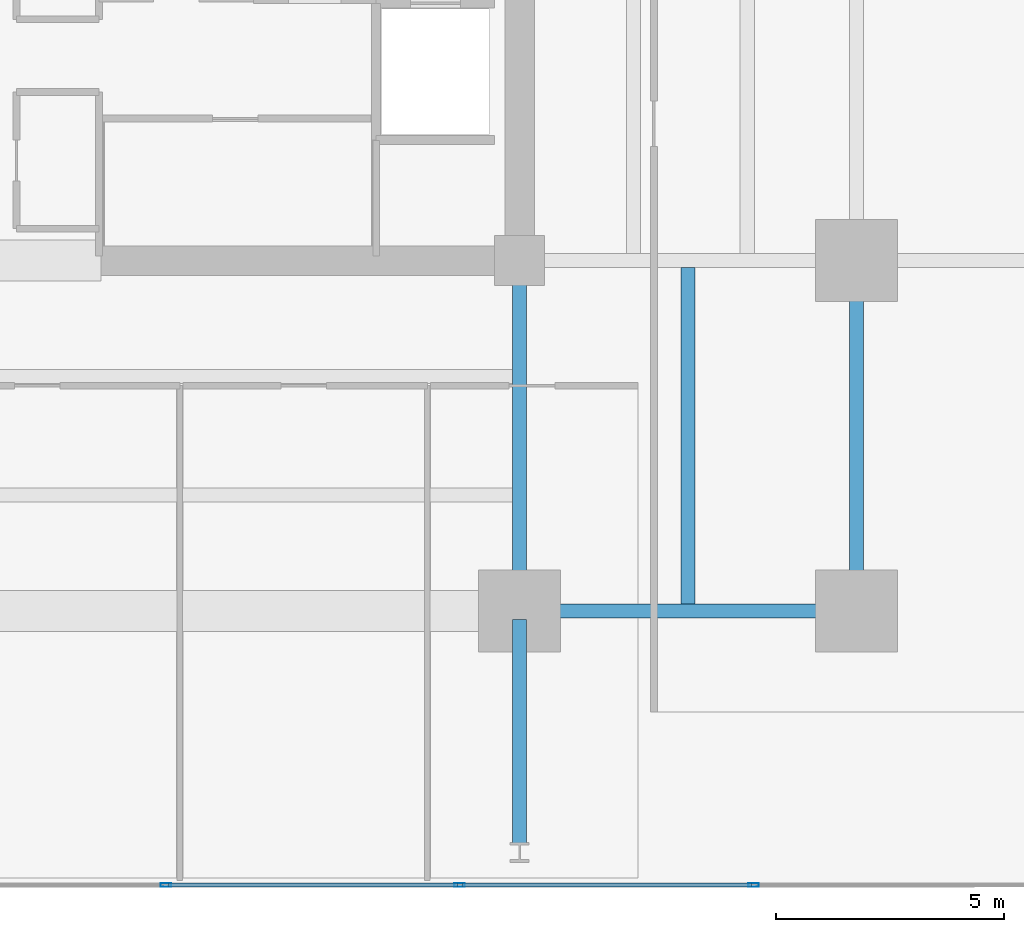
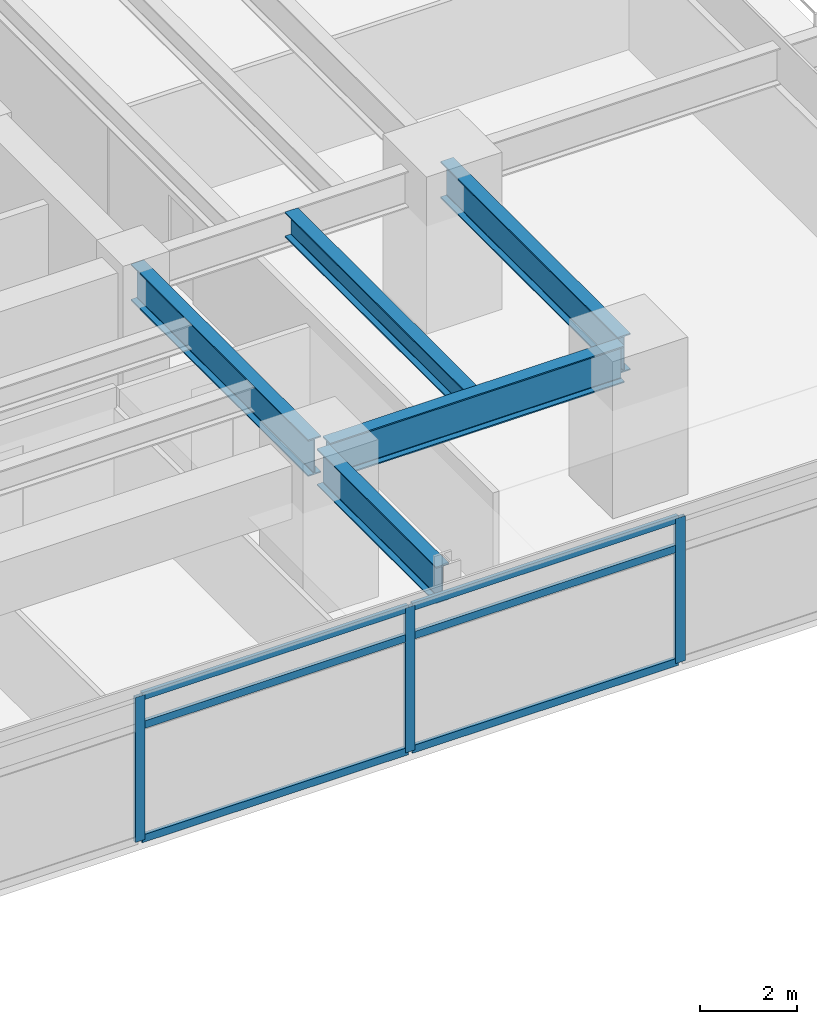
# One storey, part 5 of 23: 9 members, 5 beams, 1 element without a shape of its own.
"""IFC4 building model written with IfcOpenShell, lengths in metres."""

import ifcopenshell
import ifcopenshell.guid

model = None  # the IFC model being written
_history = None  # IfcOwnerHistory: only IFC2X3 demands one
_inside = {}  # id of a spatial element -> (the spatial element, [elements in it])
_under = {}  # id of a project, library or spatial element -> (it, [spatial elements below it])
_declared = {}  # id of a project -> (the project, [libraries it declares])
_typed = {}  # id of a type object -> (the type object, [elements of that type])
_made_of = {}  # id of a material, layer set ... -> (it, [elements and type objects made of it])


def new_model(schema):
    """Start an empty IFC model of exactly this schema.

    Asked for "IFC4X3", IfcOpenShell would pick the latest addendum, in which some entities
    have other attributes; the version numbers below select the first issue.
    IFC2X3 requires an IfcOwnerHistory on every rooted entity: one is made here for all.
    """
    global model, _history
    if schema == "IFC4X3":
        model = ifcopenshell.file(schema_version=(4, 3, 0, 0))
    else:
        model = ifcopenshell.file(schema=schema)
    _inside.clear()
    _under.clear()
    _declared.clear()
    _typed.clear()
    _made_of.clear()
    _history = None
    if model.schema == "IFC2X3":
        org = make("IfcOrganization", Name="unknown")
        user = make(
            "IfcPersonAndOrganization",
            ThePerson=make("IfcPerson", FamilyName="unknown"),
            TheOrganization=org,
        )
        app = make(
            "IfcApplication",
            ApplicationDeveloper=org,
            Version="unknown",
            ApplicationFullName="unknown",
            ApplicationIdentifier="unknown",
        )
        _history = make(
            "IfcOwnerHistory",
            OwningUser=user,
            OwningApplication=app,
            ChangeAction="ADDED",
            CreationDate=0,
        )
    return model


def make(cls, **values):
    """One entity of the class cls with the attributes given. An attribute that is None is left unset."""
    return model.create_entity(
        cls, **{name: value for name, value in values.items() if value is not None}
    )


def rooted(cls, **values):
    """An entity with a GlobalId (a new one), such as an element, a storey or a relation."""
    return make(cls, GlobalId=ifcopenshell.guid.new(), OwnerHistory=_history, **values)


def si_unit(unit_type, name, prefix=None):
    """IfcSIUnit, for example si_unit("LENGTHUNIT", "METRE", prefix="MILLI")."""
    return make("IfcSIUnit", UnitType=unit_type, Prefix=prefix, Name=name)


def assignment(units):
    """IfcUnitAssignment: the units of a project."""
    return None if units is None else make("IfcUnitAssignment", Units=units)


def point(xyz):
    """IfcCartesianPoint."""
    return None if xyz is None else make("IfcCartesianPoint", Coordinates=xyz)


def direction(xyz):
    """IfcDirection."""
    return None if xyz is None else make("IfcDirection", DirectionRatios=xyz)


def frame(location, z_axis=None, x_axis=None):
    """IfcAxis2Placement3D, a coordinate frame: its origin and axes. An axis left out is left unset."""
    return make(
        "IfcAxis2Placement3D",
        Location=point(location),
        Axis=direction(z_axis),
        RefDirection=direction(x_axis),
    )


def frame_2d(location, x_axis=None):
    """IfcAxis2Placement2D, a coordinate frame in the plane: its origin and x axis."""
    return make(
        "IfcAxis2Placement2D", Location=point(location), RefDirection=direction(x_axis)
    )


def origin():
    """The frame at (0, 0, 0) with its axes left unset."""
    return frame((0.0, 0.0, 0.0))


def origin_2d():
    """The frame at (0, 0) in the plane with its x axis left unset."""
    return frame_2d((0.0, 0.0))


def place(relative_to, where):
    """IfcLocalPlacement: puts the frame where relative to a parent placement (None: the world)."""
    return make(
        "IfcLocalPlacement", PlacementRelTo=relative_to, RelativePlacement=where
    )


def context(
    kind, dimensions, precision=None, world=None, true_north=None, identifier=None
):
    """IfcGeometricRepresentationContext, for example the 3D "Model" context."""
    return make(
        "IfcGeometricRepresentationContext",
        ContextIdentifier=identifier,
        ContextType=kind,
        CoordinateSpaceDimension=dimensions,
        Precision=precision,
        WorldCoordinateSystem=world,
        TrueNorth=true_north,
    )


def subcontext(parent, identifier, kind, view, scale=None):
    """IfcGeometricRepresentationSubContext, for example "Body" below "Model"."""
    return make(
        "IfcGeometricRepresentationSubContext",
        ContextIdentifier=identifier,
        ContextType=kind,
        ParentContext=parent,
        TargetScale=scale,
        TargetView=view,
    )


def project(units=None, contexts=None):
    """IfcProject with its units and contexts."""
    return rooted(
        "IfcProject",
        Name="project",
        RepresentationContexts=contexts,
        UnitsInContext=assignment(units),
    )


def spatial(cls, under=None, at=None, **own):
    """A site, building, storey or space (cls), placed at a placement, below another one or the project."""
    s = rooted(cls, ObjectPlacement=at, **own)
    if under is not None:
        _under.setdefault(under.id(), (under, []))[1].append(s)
    return s


def profile(cls, at=None, kind="AREA", **sizes):
    """A parametric profile (cls). Its sizes go by their IFC names, for example OverallWidth=200.0."""
    return make(cls, ProfileType=kind, Position=at, **sizes)


def hollow_rectangle(**sizes):
    """IfcRectangleHollowProfileDef."""
    return profile("IfcRectangleHollowProfileDef", **sizes)


def i_section(**sizes):
    """IfcIShapeProfileDef."""
    return profile("IfcIShapeProfileDef", **sizes)


def extrude(swept, where, along, depth):
    """IfcExtrudedAreaSolid: the profile swept, set in the frame where, extruded along a direction by depth."""
    return make(
        "IfcExtrudedAreaSolid",
        SweptArea=swept,
        Position=where,
        ExtrudedDirection=direction(along),
        Depth=depth,
    )


def shape(context_of_items, identifier, shape_type, items):
    """IfcShapeRepresentation: the items that make up one representation, for example the "Body"."""
    return make(
        "IfcShapeRepresentation",
        ContextOfItems=context_of_items,
        RepresentationIdentifier=identifier,
        RepresentationType=shape_type,
        Items=items,
    )


def material(Name=None, Category=None):
    """IfcMaterial."""
    return make("IfcMaterial", Name=Name, Category=Category)


def material_profile(
    of_material, cross_section, Name=None, Category=None, Priority=None
):
    """IfcMaterialProfile: a cross section and its material."""
    return make(
        "IfcMaterialProfile",
        Name=Name,
        Material=of_material,
        Profile=cross_section,
        Priority=Priority,
        Category=Category,
    )


def profile_set(profiles, Name=None, composite=None):
    """IfcMaterialProfileSet."""
    return make(
        "IfcMaterialProfileSet",
        Name=Name,
        MaterialProfiles=profiles,
        CompositeProfile=composite,
    )


def made_of(thing, what):
    """Note that an element or type object is made of a material, layer set ...; save() writes the relation."""
    if what is not None:
        _made_of.setdefault(what.id(), (what, []))[1].append(thing)
    return thing


def type_object(cls, material=None, **own):
    """A type object (cls), such as IfcWallType, which elements share."""
    return made_of(rooted(cls, **own), material)


def element(
    cls,
    number,
    at=None,
    inside=None,
    cuts=None,
    type_object=None,
    material=None,
    context=None,
    identifier="Body",
    shape_type=None,
    held_by="IfcProductDefinitionShape",
    body=None,
    shapes=None,
    **own,
):
    """One element of the class cls, such as IfcWall. Its Tag is "e" and its number.

    at: its placement. inside: the storey or other place that contains it. cuts: it is an
    opening in that element (IfcRelVoidsElement). A single representation is given by context,
    identifier, shape_type and body (its items); several are given by shapes. held_by: the class
    of the entity that holds the representations. save() writes the other relations.
    """
    e = rooted(cls, Tag="e%d" % number, ObjectPlacement=at, **own)
    if body is not None:
        shapes = [shape(context, identifier, shape_type, body)]
    if shapes is not None:
        e.Representation = make(held_by, Representations=shapes)
    if inside is not None:
        _inside.setdefault(inside.id(), (inside, []))[1].append(e)
    if cuts is not None:
        rooted(
            "IfcRelVoidsElement", RelatingBuildingElement=cuts, RelatedOpeningElement=e
        )
    if type_object is not None:
        _typed.setdefault(type_object.id(), (type_object, []))[1].append(e)
    return made_of(e, material)


def aggregate(whole, parts):
    """IfcRelAggregates: a whole, such as a stair, and the parts it consists of."""
    return rooted("IfcRelAggregates", RelatingObject=whole, RelatedObjects=parts)


def save(model, path):
    """Write the relations noted so far, then the file.

    IfcRelAggregates (storeys below a building ...), IfcRelContainedInSpatialStructure (elements
    in a storey), IfcRelDefinesByType, IfcRelAssociatesMaterial and IfcRelDeclares: one each for
    every whole, place, type object, material and project.
    """
    for whole, parts in _under.values():
        aggregate(whole, parts)
    for where, things in _inside.values():
        rooted(
            "IfcRelContainedInSpatialStructure",
            RelatedElements=things,
            RelatingStructure=where,
        )
    for kind, things in _typed.values():
        rooted("IfcRelDefinesByType", RelatedObjects=things, RelatingType=kind)
    for what, things in _made_of.values():
        rooted("IfcRelAssociatesMaterial", RelatedObjects=things, RelatingMaterial=what)
    for by, libraries in _declared.values():
        rooted("IfcRelDeclares", RelatingContext=by, RelatedDefinitions=libraries)
    model.write(path)


model = new_model("IFC4")

# Units and contexts
model_context = context("Model", 3, precision=1e-05, world=origin(), true_north=direction((0.0, 1.0)))
body_context = subcontext(model_context, "Body", "Model", "MODEL_VIEW")
ifc_project = project(units=[si_unit("LENGTHUNIT", "METRE"), si_unit("AREAUNIT", "SQUARE_METRE"), si_unit("VOLUMEUNIT", "CUBIC_METRE"), si_unit("PLANEANGLEUNIT", "RADIAN"), si_unit("MASSUNIT", "GRAM", prefix="KILO")], contexts=[model_context])

# Site, building, storey
site_placement = place(None, origin())
site = spatial("IfcSite", under=ifc_project, at=site_placement, CompositionType="ELEMENT")
building_placement = place(site_placement, origin())
building = spatial("IfcBuilding", under=site, at=building_placement, Name="Kovane Verandah Tower", CompositionType="ELEMENT")
storey_placement = place(building_placement, frame((0.0, 0.0, 103.60009765625)))
storey = spatial("IfcBuildingStorey", under=building, at=storey_placement, Name="L24", CompositionType="ELEMENT", Elevation=103.60009765625)

# Beams
ifc_material_1 = material(Name="Steel S460", Category="steel")
ifc_material_profile_1 = material_profile(ifc_material_1, i_section(OverallWidth=0.311279296875, OverallDepth=0.6357421875, WebThickness=0.018310546875, FlangeThickness=0.031494140625, FilletRadius=0.0166015625, at=origin_2d()), Name="UB610x305x238")
ifc_profile_set_1 = profile_set([ifc_material_profile_1], Name="Steel S460")
beam_type_1 = type_object("IfcBeamType", Name="BM-UB610x238", PredefinedType="BEAM", material=ifc_profile_set_1)
beam_1_placement = place(storey_placement, frame((54.699951171875, 10.951904296875, 3.382080078125), z_axis=(0.0, 1.0, 0.0), x_axis=(-1.0, 0.0, 0.0)))
element("IfcBeam", 1, at=beam_1_placement, inside=storey, type_object=beam_type_1, Name="L24 Secondary Composite Joist J-SE1", PredefinedType="BEAM", context=body_context, shape_type="SweptSolid", body=[
    extrude(i_section(OverallWidth=0.311279296875, OverallDepth=0.6357421875, WebThickness=0.018310546875, FlangeThickness=0.031494140625, FilletRadius=0.0166015625, at=origin_2d()), origin(), (0.0, 0.0, 1.0), 7.396240234375),
])
ifc_material_profile_2 = material_profile(ifc_material_1, i_section(OverallWidth=0.3076171875, OverallDepth=0.926513671875, WebThickness=0.01953125, FlangeThickness=0.031982421875, FilletRadius=0.01904296875, at=origin_2d()), Name="UB914x305x289")
ifc_profile_set_2 = profile_set([ifc_material_profile_2], Name="Steel S460")
beam_type_2 = type_object("IfcBeamType", Name="BM-UB914x289", PredefinedType="BEAM", material=ifc_profile_set_2)
beam_2_placement = place(storey_placement, frame((51.179931640625, 10.800048828125, 3.236572265625), z_axis=(1.0, 0.0, 0.0), x_axis=(0.0, 1.0, 0.0)))
element("IfcBeam", 2, at=beam_2_placement, inside=storey, type_object=beam_type_2, Name="L24 Primary Tower Girder G-RS3", PredefinedType="BEAM", context=body_context, shape_type="SweptSolid", body=[
    extrude(i_section(OverallWidth=0.3076171875, OverallDepth=0.926513671875, WebThickness=0.01953125, FlangeThickness=0.031982421875, FilletRadius=0.01904296875, at=origin_2d()), origin(), (0.0, 0.0, 1.0), 7.0400390625),
])
for number, where, z_axis, x_axis, name in (
    (3, (58.39990234375, 10.97998046875, 3.236572265625), (0.0, 1.0, 0.0), (-1.0, 0.0, 0.0), "L24 Primary Tower Girder G-RE1"),
    (4, (51.0, 18.320068359375, 3.236572265625), (0.0, -1.0, 0.0), (1.0, 0.0, 0.0), "L24 Primary Tower Girder G-S2"),
):
    element("IfcBeam", number, at=place(storey_placement, frame(where, z_axis=z_axis, x_axis=x_axis)), inside=storey, type_object=beam_type_2, Name=name, PredefinedType="BEAM", context=body_context, shape_type="SweptSolid", body=[
        extrude(i_section(OverallWidth=0.3076171875, OverallDepth=0.926513671875, WebThickness=0.01953125, FlangeThickness=0.031982421875, FilletRadius=0.01904296875, at=origin_2d()), origin(), (0.0, 0.0, 1.0), 7.340087890625),
    ])
beam_3_placement = place(storey_placement, frame((51.0, 10.6201171875, 3.236572265625), z_axis=(0.0, -1.0, 0.0), x_axis=(1.0, 0.0, 0.0)))
element("IfcBeam", 5, at=beam_3_placement, inside=storey, type_object=beam_type_2, Name="L24 Primary Tower Girder G-VS2", PredefinedType="BEAM", context=body_context, shape_type="SweptSolid", body=[
    extrude(i_section(OverallWidth=0.3076171875, OverallDepth=0.926513671875, WebThickness=0.01953125, FlangeThickness=0.031982421875, FilletRadius=0.01904296875, at=origin_2d()), origin(), (0.0, 0.0, 1.0), 4.940185546875),
])

# Curtain wall, members
ifc_material_2 = material(Name="Champagne Anodised Aluminium Frame with Low-E Clear Laminated Glass", Category="aluminium")
curtain_wall_type = type_object("IfcCurtainWallType", Name="CW-SYS-02-LOW", PredefinedType="NOTDEFINED", material=ifc_material_2)
curtain_wall_placement = place(storey_placement, origin())
curtain_wall = element("IfcCurtainWall", 6, at=curtain_wall_placement, inside=storey, type_object=curtain_wall_type, Name="L24 S Unitised Curtain Wall", PredefinedType="NOTDEFINED")
ifc_material_3 = material(Name="Champagne Anodised Aluminium 6063-T6", Category="aluminium")
ifc_material_profile_3 = material_profile(ifc_material_3, hollow_rectangle(XDim=0.0849609375, YDim=0.22998046875, WallThickness=0.00390625, at=origin_2d()), Name="AL85x230x4")
ifc_profile_set_3 = profile_set([ifc_material_profile_3], Name="Champagne Anodised Aluminium 6063-T6")
member_type_1 = type_object("IfcMemberType", Name="CW-MUL-85x230", PredefinedType="MULLION", material=ifc_profile_set_3)
member_1_placement = place(storey_placement, frame((43.228515625, 4.781005859375, 0.02001953125), z_axis=(0.0, 0.0, 1.0), x_axis=(0.0, -1.0, 0.0)))
member_1 = element("IfcMember", 7, at=member_1_placement, type_object=member_type_1, Name="L24 S Unitised Curtain Wall Mullion 5", PredefinedType="MULLION", context=body_context, shape_type="SweptSolid", body=[
    extrude(hollow_rectangle(XDim=0.0849609375, YDim=0.22998046875, WallThickness=0.00390625, at=origin_2d()), origin(), (0.0, 0.0, 1.0), 3.659912109375),
])
member_2_placement = place(storey_placement, frame((49.68505859375, 4.781005859375, 0.02001953125), z_axis=(0.0, 0.0, 1.0), x_axis=(0.0, -1.0, 0.0)))
member_2 = element("IfcMember", 8, at=member_2_placement, type_object=member_type_1, Name="L24 S Unitised Curtain Wall Mullion 6", PredefinedType="MULLION", context=body_context, shape_type="SweptSolid", body=[
    extrude(hollow_rectangle(XDim=0.0849609375, YDim=0.22998046875, WallThickness=0.00390625, at=origin_2d()), origin(), (0.0, 0.0, 1.0), 3.659912109375),
])
member_3_placement = place(storey_placement, frame((56.141845703125, 4.781005859375, 0.02001953125), z_axis=(0.0, 0.0, 1.0), x_axis=(0.0, -1.0, 0.0)))
member_3 = element("IfcMember", 9, at=member_3_placement, type_object=member_type_1, Name="L24 S Unitised Curtain Wall Mullion 7", PredefinedType="MULLION", context=body_context, shape_type="SweptSolid", body=[
    extrude(hollow_rectangle(XDim=0.0849609375, YDim=0.22998046875, WallThickness=0.00390625, at=origin_2d()), origin(), (0.0, 0.0, 1.0), 3.659912109375),
])
ifc_material_profile_4 = material_profile(ifc_material_3, hollow_rectangle(XDim=0.0849609375, YDim=0.18994140625, WallThickness=0.00390625, at=origin_2d()), Name="AL85x190x4")
ifc_profile_set_4 = profile_set([ifc_material_profile_4], Name="Champagne Anodised Aluminium 6063-T6")
member_type_2 = type_object("IfcMemberType", Name="CW-TRN-85x190", PredefinedType="USERDEFINED", material=ifc_profile_set_4)
member_4_placement = place(storey_placement, frame((43.2783203125, 4.781005859375, 0.0498046875), z_axis=(1.0, 0.0, 0.0), x_axis=(0.0, 1.0, 0.0)))
member_4 = element("IfcMember", 10, at=member_4_placement, type_object=member_type_2, Name="L24 S Unitised Curtain Wall Transom TB Bay 5", ObjectType="TRANSOM", PredefinedType="USERDEFINED", context=body_context, shape_type="SweptSolid", body=[
    extrude(hollow_rectangle(XDim=0.0849609375, YDim=0.18994140625, WallThickness=0.00390625, at=origin_2d()), origin(), (0.0, 0.0, 1.0), 6.356689453125),
])
member_5_placement = place(storey_placement, frame((43.2783203125, 4.781005859375, 2.919921875), z_axis=(1.0, 0.0, 0.0), x_axis=(0.0, 1.0, 0.0)))
member_5 = element("IfcMember", 11, at=member_5_placement, type_object=member_type_2, Name="L24 S Unitised Curtain Wall Transom TM Bay 5", ObjectType="TRANSOM", PredefinedType="USERDEFINED", context=body_context, shape_type="SweptSolid", body=[
    extrude(hollow_rectangle(XDim=0.0849609375, YDim=0.18994140625, WallThickness=0.00390625, at=origin_2d()), origin(), (0.0, 0.0, 1.0), 6.356689453125),
])
member_6_placement = place(storey_placement, frame((43.2783203125, 4.781005859375, 3.64990234375), z_axis=(1.0, 0.0, 0.0), x_axis=(0.0, 1.0, 0.0)))
member_6 = element("IfcMember", 12, at=member_6_placement, type_object=member_type_2, Name="L24 S Unitised Curtain Wall Transom TT Bay 5", ObjectType="TRANSOM", PredefinedType="USERDEFINED", context=body_context, shape_type="SweptSolid", body=[
    extrude(hollow_rectangle(XDim=0.0849609375, YDim=0.18994140625, WallThickness=0.00390625, at=origin_2d()), origin(), (0.0, 0.0, 1.0), 6.356689453125),
])
member_7_placement = place(storey_placement, frame((49.735107421875, 4.781005859375, 0.0498046875), z_axis=(1.0, 0.0, 0.0), x_axis=(0.0, 1.0, 0.0)))
member_7 = element("IfcMember", 13, at=member_7_placement, type_object=member_type_2, Name="L24 S Unitised Curtain Wall Transom TB Bay 6", ObjectType="TRANSOM", PredefinedType="USERDEFINED", context=body_context, shape_type="SweptSolid", body=[
    extrude(hollow_rectangle(XDim=0.0849609375, YDim=0.18994140625, WallThickness=0.00390625, at=origin_2d()), origin(), (0.0, 0.0, 1.0), 6.356689453125),
])
member_8_placement = place(storey_placement, frame((49.735107421875, 4.781005859375, 2.919921875), z_axis=(1.0, 0.0, 0.0), x_axis=(0.0, 1.0, 0.0)))
member_8 = element("IfcMember", 14, at=member_8_placement, type_object=member_type_2, Name="L24 S Unitised Curtain Wall Transom TM Bay 6", ObjectType="TRANSOM", PredefinedType="USERDEFINED", context=body_context, shape_type="SweptSolid", body=[
    extrude(hollow_rectangle(XDim=0.0849609375, YDim=0.18994140625, WallThickness=0.00390625, at=origin_2d()), origin(), (0.0, 0.0, 1.0), 6.356689453125),
])
member_9_placement = place(storey_placement, frame((49.735107421875, 4.781005859375, 3.64990234375), z_axis=(1.0, 0.0, 0.0), x_axis=(0.0, 1.0, 0.0)))
member_9 = element("IfcMember", 15, at=member_9_placement, type_object=member_type_2, Name="L24 S Unitised Curtain Wall Transom TT Bay 6", ObjectType="TRANSOM", PredefinedType="USERDEFINED", context=body_context, shape_type="SweptSolid", body=[
    extrude(hollow_rectangle(XDim=0.0849609375, YDim=0.18994140625, WallThickness=0.00390625, at=origin_2d()), origin(), (0.0, 0.0, 1.0), 6.356689453125),
])
aggregate(curtain_wall, [member_1, member_2, member_3, member_4, member_5, member_6, member_7, member_8, member_9])

save(model, "model.ifc")
